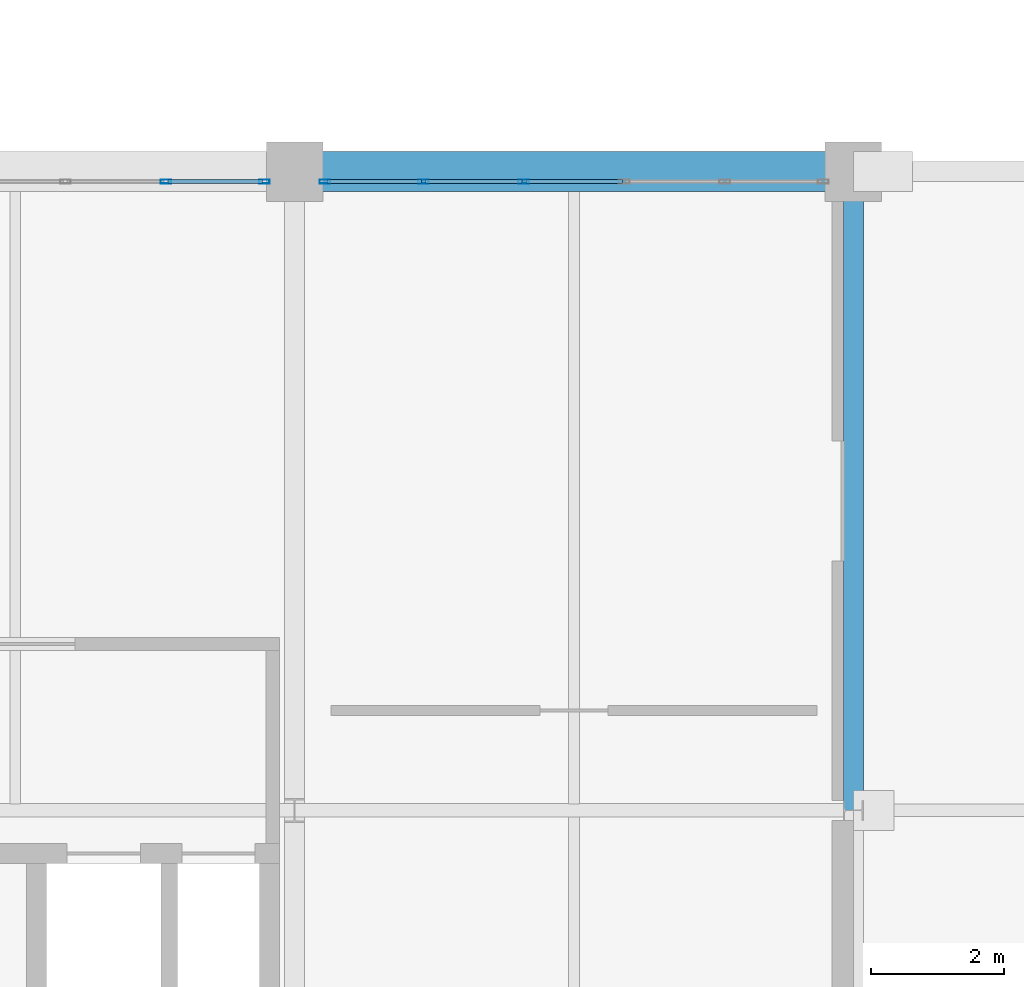
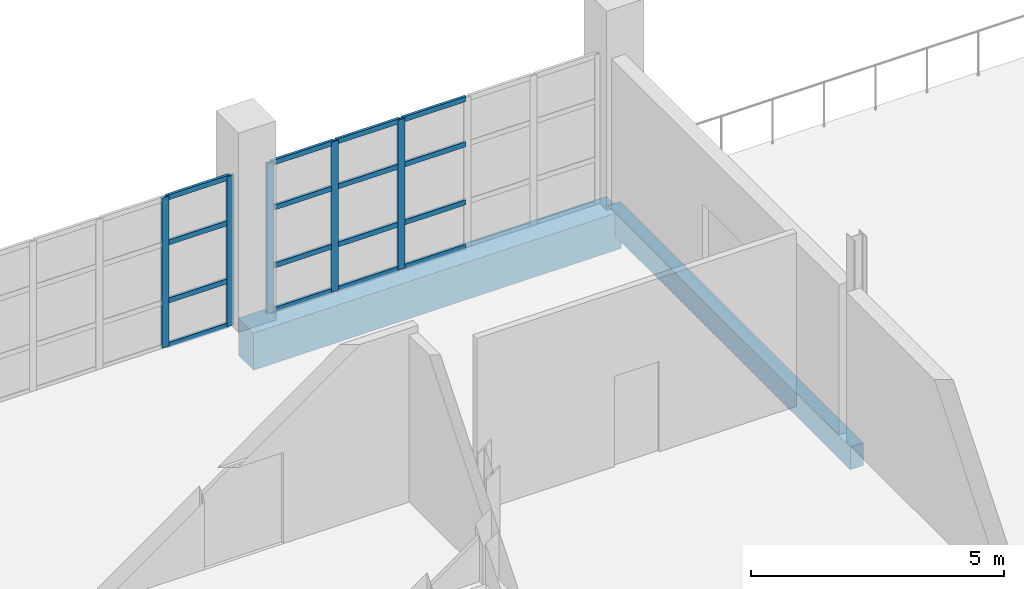
# One storey, part 18 of 29: 21 members, 2 beams, 2 elements without a shape of their own.
"""IFC4 building model written with IfcOpenShell, lengths in metres."""

from ifc_helpers import new_model, si_unit, direction, frame, origin, origin_2d, place, context, subcontext, project, spatial, rectangle, hollow_rectangle, extrude, material, material_profile, profile_set, type_object, element, aggregate, save


model = new_model("IFC4")

# Units and contexts
model_context = context("Model", 3, precision=1e-05, world=origin(), true_north=direction((0.0, 1.0)))
body_context = subcontext(model_context, "Body", "Model", "MODEL_VIEW")
ifc_project = project(units=[si_unit("LENGTHUNIT", "METRE"), si_unit("AREAUNIT", "SQUARE_METRE"), si_unit("VOLUMEUNIT", "CUBIC_METRE"), si_unit("PLANEANGLEUNIT", "RADIAN"), si_unit("MASSUNIT", "GRAM", prefix="KILO")], contexts=[model_context])

# Site, building, storey
site_placement = place(None, origin())
site = spatial("IfcSite", under=ifc_project, at=site_placement, CompositionType="ELEMENT")
building_placement = place(site_placement, origin())
building = spatial("IfcBuilding", under=site, at=building_placement, Name="Veltarok Museum of Natural Sciences", CompositionType="ELEMENT")
storey_placement = place(building_placement, frame((0.0, 0.0, 26.39990234375)))
storey = spatial("IfcBuildingStorey", under=building, at=storey_placement, Name="L05", CompositionType="ELEMENT", Elevation=26.39990234375)

# Curtain wall, members
ifc_material_1 = material(Name="Low-iron triple insulated glass", Category="glass")
curtain_wall_type = type_object("IfcCurtainWallType", Name="Curtain Wall System CW-V1N-L05-755x362 (V1 North Overlook L05 755x362cm)", PredefinedType="NOTDEFINED", material=ifc_material_1)
curtain_wall_1_placement = place(storey_placement, origin())
curtain_wall_1 = element("IfcCurtainWall", 1, at=curtain_wall_1_placement, inside=storey, type_object=curtain_wall_type, Name="Curtain Wall CW-V1N-L05-755x362 CW-0018", PredefinedType="NOTDEFINED")
ifc_material_2 = material(Name="Thermally broken anodised aluminium", Category="aluminium")
ifc_material_profile_1 = material_profile(ifc_material_2, hollow_rectangle(XDim=0.06005859375, YDim=0.1201171875, WallThickness=0.0048828125, at=origin_2d()), Name="CW TRANSOM 60x120x5")
ifc_profile_set_1 = profile_set([ifc_material_profile_1], Name="Thermally broken anodised aluminium")
member_type_1 = type_object("IfcMemberType", Name="Curtain Wall Horizontal Transom 60x120x5", PredefinedType="USERDEFINED", material=ifc_profile_set_1)
member_1_placement = place(storey_placement, frame((98.31494140625, 19.050048828125, 0.030029296875), z_axis=(-1.0, 0.0, 0.0), x_axis=(0.0, -1.0, 0.0)))
member_1 = element("IfcMember", 2, at=member_1_placement, type_object=member_type_1, Name="CW-V1N-L05-755x362 transom 1.1", ObjectType="TRANSOM", PredefinedType="USERDEFINED", context=body_context, shape_type="SweptSolid", body=[
    extrude(hollow_rectangle(XDim=0.06005859375, YDim=0.1201171875, WallThickness=0.0048828125, at=origin_2d()), origin(), (0.0, 0.0, 1.0), 1.419921875),
])
member_2_placement = place(storey_placement, frame((98.31494140625, 19.050048828125, 1.10009765625), z_axis=(-1.0, 0.0, 0.0), x_axis=(0.0, -1.0, 0.0)))
member_2 = element("IfcMember", 3, at=member_2_placement, type_object=member_type_1, Name="CW-V1N-L05-755x362 transom 1.2", ObjectType="TRANSOM", PredefinedType="USERDEFINED", context=body_context, shape_type="SweptSolid", body=[
    extrude(hollow_rectangle(XDim=0.06005859375, YDim=0.1201171875, WallThickness=0.0048828125, at=origin_2d()), origin(), (0.0, 0.0, 1.0), 1.419921875),
])
member_3_placement = place(storey_placement, frame((98.31494140625, 19.050048828125, 2.5), z_axis=(-1.0, 0.0, 0.0), x_axis=(0.0, -1.0, 0.0)))
member_3 = element("IfcMember", 4, at=member_3_placement, type_object=member_type_1, Name="CW-V1N-L05-755x362 transom 1.3", ObjectType="TRANSOM", PredefinedType="USERDEFINED", context=body_context, shape_type="SweptSolid", body=[
    extrude(hollow_rectangle(XDim=0.06005859375, YDim=0.1201171875, WallThickness=0.0048828125, at=origin_2d()), origin(), (0.0, 0.0, 1.0), 1.419921875),
])
member_4_placement = place(storey_placement, frame((98.31494140625, 19.050048828125, 3.590087890625), z_axis=(-1.0, 0.0, 0.0), x_axis=(0.0, -1.0, 0.0)))
member_4 = element("IfcMember", 5, at=member_4_placement, type_object=member_type_1, Name="CW-V1N-L05-755x362 transom 1.4", ObjectType="TRANSOM", PredefinedType="USERDEFINED", context=body_context, shape_type="SweptSolid", body=[
    extrude(hollow_rectangle(XDim=0.06005859375, YDim=0.1201171875, WallThickness=0.0048828125, at=origin_2d()), origin(), (0.0, 0.0, 1.0), 1.419921875),
])

curtain_wall_2_placement = place(storey_placement, origin())
curtain_wall_2 = element("IfcCurtainWall", 6, at=curtain_wall_2_placement, inside=storey, type_object=curtain_wall_type, Name="Curtain Wall CW-V1N-L05-755x362 CW-0019", PredefinedType="NOTDEFINED")
member_5_placement = place(storey_placement, frame((103.72509765625, 19.050048828125, 0.030029296875), z_axis=(-1.0, 0.0, 0.0), x_axis=(0.0, -1.0, 0.0)))
member_5 = element("IfcMember", 7, at=member_5_placement, type_object=member_type_1, Name="CW-V1N-L05-755x362 transom 3.1", ObjectType="TRANSOM", PredefinedType="USERDEFINED", context=body_context, shape_type="SweptSolid", body=[
    extrude(hollow_rectangle(XDim=0.06005859375, YDim=0.1201171875, WallThickness=0.0048828125, at=origin_2d()), origin(), (0.0, 0.0, 1.0), 1.4501953125),
])
member_6_placement = place(storey_placement, frame((103.72509765625, 19.050048828125, 1.10009765625), z_axis=(-1.0, 0.0, 0.0), x_axis=(0.0, -1.0, 0.0)))
member_6 = element("IfcMember", 8, at=member_6_placement, type_object=member_type_1, Name="CW-V1N-L05-755x362 transom 3.2", ObjectType="TRANSOM", PredefinedType="USERDEFINED", context=body_context, shape_type="SweptSolid", body=[
    extrude(hollow_rectangle(XDim=0.06005859375, YDim=0.1201171875, WallThickness=0.0048828125, at=origin_2d()), origin(), (0.0, 0.0, 1.0), 1.4501953125),
])
member_7_placement = place(storey_placement, frame((103.72509765625, 19.050048828125, 2.5), z_axis=(-1.0, 0.0, 0.0), x_axis=(0.0, -1.0, 0.0)))
member_7 = element("IfcMember", 9, at=member_7_placement, type_object=member_type_1, Name="CW-V1N-L05-755x362 transom 3.3", ObjectType="TRANSOM", PredefinedType="USERDEFINED", context=body_context, shape_type="SweptSolid", body=[
    extrude(hollow_rectangle(XDim=0.06005859375, YDim=0.1201171875, WallThickness=0.0048828125, at=origin_2d()), origin(), (0.0, 0.0, 1.0), 1.4501953125),
])
member_8_placement = place(storey_placement, frame((103.72509765625, 19.050048828125, 3.590087890625), z_axis=(-1.0, 0.0, 0.0), x_axis=(0.0, -1.0, 0.0)))
member_8 = element("IfcMember", 10, at=member_8_placement, type_object=member_type_1, Name="CW-V1N-L05-755x362 transom 3.4", ObjectType="TRANSOM", PredefinedType="USERDEFINED", context=body_context, shape_type="SweptSolid", body=[
    extrude(hollow_rectangle(XDim=0.06005859375, YDim=0.1201171875, WallThickness=0.0048828125, at=origin_2d()), origin(), (0.0, 0.0, 1.0), 1.4501953125),
])
member_9_placement = place(storey_placement, frame((102.215087890625, 19.050048828125, 0.030029296875), z_axis=(-1.0, 0.0, 0.0), x_axis=(0.0, -1.0, 0.0)))
member_9 = element("IfcMember", 11, at=member_9_placement, type_object=member_type_1, Name="CW-V1N-L05-755x362 transom 4.1", ObjectType="TRANSOM", PredefinedType="USERDEFINED", context=body_context, shape_type="SweptSolid", body=[
    extrude(hollow_rectangle(XDim=0.06005859375, YDim=0.1201171875, WallThickness=0.0048828125, at=origin_2d()), origin(), (0.0, 0.0, 1.0), 1.4501953125),
])
member_10_placement = place(storey_placement, frame((102.215087890625, 19.050048828125, 1.10009765625), z_axis=(-1.0, 0.0, 0.0), x_axis=(0.0, -1.0, 0.0)))
member_10 = element("IfcMember", 12, at=member_10_placement, type_object=member_type_1, Name="CW-V1N-L05-755x362 transom 4.2", ObjectType="TRANSOM", PredefinedType="USERDEFINED", context=body_context, shape_type="SweptSolid", body=[
    extrude(hollow_rectangle(XDim=0.06005859375, YDim=0.1201171875, WallThickness=0.0048828125, at=origin_2d()), origin(), (0.0, 0.0, 1.0), 1.4501953125),
])
member_11_placement = place(storey_placement, frame((102.215087890625, 19.050048828125, 2.5), z_axis=(-1.0, 0.0, 0.0), x_axis=(0.0, -1.0, 0.0)))
member_11 = element("IfcMember", 13, at=member_11_placement, type_object=member_type_1, Name="CW-V1N-L05-755x362 transom 4.3", ObjectType="TRANSOM", PredefinedType="USERDEFINED", context=body_context, shape_type="SweptSolid", body=[
    extrude(hollow_rectangle(XDim=0.06005859375, YDim=0.1201171875, WallThickness=0.0048828125, at=origin_2d()), origin(), (0.0, 0.0, 1.0), 1.4501953125),
])
member_12_placement = place(storey_placement, frame((102.215087890625, 19.050048828125, 3.590087890625), z_axis=(-1.0, 0.0, 0.0), x_axis=(0.0, -1.0, 0.0)))
member_12 = element("IfcMember", 14, at=member_12_placement, type_object=member_type_1, Name="CW-V1N-L05-755x362 transom 4.4", ObjectType="TRANSOM", PredefinedType="USERDEFINED", context=body_context, shape_type="SweptSolid", body=[
    extrude(hollow_rectangle(XDim=0.06005859375, YDim=0.1201171875, WallThickness=0.0048828125, at=origin_2d()), origin(), (0.0, 0.0, 1.0), 1.4501953125),
])
member_13_placement = place(storey_placement, frame((100.705078125, 19.050048828125, 0.030029296875), z_axis=(-1.0, 0.0, 0.0), x_axis=(0.0, -1.0, 0.0)))
member_13 = element("IfcMember", 15, at=member_13_placement, type_object=member_type_1, Name="CW-V1N-L05-755x362 transom 5.1", ObjectType="TRANSOM", PredefinedType="USERDEFINED", context=body_context, shape_type="SweptSolid", body=[
    extrude(hollow_rectangle(XDim=0.06005859375, YDim=0.1201171875, WallThickness=0.0048828125, at=origin_2d()), origin(), (0.0, 0.0, 1.0), 1.420166015625),
])
member_14_placement = place(storey_placement, frame((100.705078125, 19.050048828125, 1.10009765625), z_axis=(-1.0, 0.0, 0.0), x_axis=(0.0, -1.0, 0.0)))
member_14 = element("IfcMember", 16, at=member_14_placement, type_object=member_type_1, Name="CW-V1N-L05-755x362 transom 5.2", ObjectType="TRANSOM", PredefinedType="USERDEFINED", context=body_context, shape_type="SweptSolid", body=[
    extrude(hollow_rectangle(XDim=0.06005859375, YDim=0.1201171875, WallThickness=0.0048828125, at=origin_2d()), origin(), (0.0, 0.0, 1.0), 1.420166015625),
])
member_15_placement = place(storey_placement, frame((100.705078125, 19.050048828125, 2.5), z_axis=(-1.0, 0.0, 0.0), x_axis=(0.0, -1.0, 0.0)))
member_15 = element("IfcMember", 17, at=member_15_placement, type_object=member_type_1, Name="CW-V1N-L05-755x362 transom 5.3", ObjectType="TRANSOM", PredefinedType="USERDEFINED", context=body_context, shape_type="SweptSolid", body=[
    extrude(hollow_rectangle(XDim=0.06005859375, YDim=0.1201171875, WallThickness=0.0048828125, at=origin_2d()), origin(), (0.0, 0.0, 1.0), 1.420166015625),
])
member_16_placement = place(storey_placement, frame((100.705078125, 19.050048828125, 3.590087890625), z_axis=(-1.0, 0.0, 0.0), x_axis=(0.0, -1.0, 0.0)))
member_16 = element("IfcMember", 18, at=member_16_placement, type_object=member_type_1, Name="CW-V1N-L05-755x362 transom 5.4", ObjectType="TRANSOM", PredefinedType="USERDEFINED", context=body_context, shape_type="SweptSolid", body=[
    extrude(hollow_rectangle(XDim=0.06005859375, YDim=0.1201171875, WallThickness=0.0048828125, at=origin_2d()), origin(), (0.0, 0.0, 1.0), 1.420166015625),
])

# Member
ifc_material_profile_2 = material_profile(ifc_material_2, hollow_rectangle(XDim=0.06005859375, YDim=0.159912109375, WallThickness=0.0048828125, at=origin_2d()), Name="CW MULLION 60x160x5")
ifc_profile_set_2 = profile_set([ifc_material_profile_2], Name="Thermally broken anodised aluminium")
member_type_2 = type_object("IfcMemberType", Name="Curtain Wall Vertical Mullion 60x160x5", PredefinedType="MULLION", material=ifc_profile_set_2)
member_17_placement = place(storey_placement, frame((98.344970703125, 19.050048828125, 0.0), z_axis=(0.0, 0.0, 1.0), x_axis=(0.0, -1.0, 0.0)))
member_17 = element("IfcMember", 19, at=member_17_placement, type_object=member_type_2, Name="CW-V1N-L05-755x362 mullion 1", PredefinedType="MULLION", context=body_context, shape_type="SweptSolid", body=[
    extrude(hollow_rectangle(XDim=0.06005859375, YDim=0.159912109375, WallThickness=0.0048828125, at=origin_2d()), origin(), (0.0, 0.0, 1.0), 3.6201171875),
])

member_18_placement = place(storey_placement, frame((96.864990234375, 19.050048828125, 0.0), z_axis=(0.0, 0.0, 1.0), x_axis=(0.0, -1.0, 0.0)))
member_18 = element("IfcMember", 20, at=member_18_placement, type_object=member_type_2, Name="CW-V1N-L05-755x362 mullion 2", PredefinedType="MULLION", context=body_context, shape_type="SweptSolid", body=[
    extrude(hollow_rectangle(XDim=0.06005859375, YDim=0.159912109375, WallThickness=0.0048828125, at=origin_2d()), origin(), (0.0, 0.0, 1.0), 3.6201171875),
])

aggregate(curtain_wall_1, [member_17, member_18, member_1, member_2, member_3, member_4])

member_19_placement = place(storey_placement, frame((102.2451171875, 19.050048828125, 0.0), z_axis=(0.0, 0.0, 1.0), x_axis=(0.0, -1.0, 0.0)))
member_19 = element("IfcMember", 21, at=member_19_placement, type_object=member_type_2, Name="CW-V1N-L05-755x362 mullion 4", PredefinedType="MULLION", context=body_context, shape_type="SweptSolid", body=[
    extrude(hollow_rectangle(XDim=0.06005859375, YDim=0.159912109375, WallThickness=0.0048828125, at=origin_2d()), origin(), (0.0, 0.0, 1.0), 3.6201171875),
])

member_20_placement = place(storey_placement, frame((100.735107421875, 19.050048828125, 0.0), z_axis=(0.0, 0.0, 1.0), x_axis=(0.0, -1.0, 0.0)))
member_20 = element("IfcMember", 22, at=member_20_placement, type_object=member_type_2, Name="CW-V1N-L05-755x362 mullion 5", PredefinedType="MULLION", context=body_context, shape_type="SweptSolid", body=[
    extrude(hollow_rectangle(XDim=0.06005859375, YDim=0.159912109375, WallThickness=0.0048828125, at=origin_2d()), origin(), (0.0, 0.0, 1.0), 3.6201171875),
])

member_21_placement = place(storey_placement, frame((99.2548828125, 19.050048828125, 0.0), z_axis=(0.0, 0.0, 1.0), x_axis=(0.0, -1.0, 0.0)))
member_21 = element("IfcMember", 23, at=member_21_placement, type_object=member_type_2, Name="CW-V1N-L05-755x362 mullion 6", PredefinedType="MULLION", context=body_context, shape_type="SweptSolid", body=[
    extrude(hollow_rectangle(XDim=0.06005859375, YDim=0.159912109375, WallThickness=0.0048828125, at=origin_2d()), origin(), (0.0, 0.0, 1.0), 3.6201171875),
])

aggregate(curtain_wall_2, [member_19, member_20, member_21, member_5, member_6, member_7, member_8, member_9, member_10, member_11, member_12, member_13, member_14, member_15, member_16])

# Beams
ifc_material_3 = material(Name="Precast concrete C40/50", Category="concrete")
ifc_material_profile_3 = material_profile(ifc_material_3, rectangle(XDim=0.300048828125, YDim=0.550048828125, at=origin_2d()), Name="RC 300x550")
ifc_profile_set_3 = profile_set([ifc_material_profile_3], Name="Precast concrete C40/50")
beam_type_1 = type_object("IfcBeamType", Name="East Wing Precast Spandrel RC 300x550", PredefinedType="SPANDREL", material=ifc_profile_set_3)
beam_1_placement = place(storey_placement, frame((107.199951171875, 9.60009765625, -0.534912109375), z_axis=(0.0, 1.0, 0.0), x_axis=(-1.0, 0.0, 0.0)))
element("IfcBeam", 24, at=beam_1_placement, inside=storey, type_object=beam_type_1, Name="Beam BM-SP02 L05 13/B-C", PredefinedType="SPANDREL", context=body_context, shape_type="SweptSolid", body=[
    extrude(rectangle(XDim=0.300048828125, YDim=0.550048828125, at=origin_2d()), origin(), (0.0, 0.0, 1.0), 9.599853515625),
])
ifc_material_4 = material(Name="Concrete C40/50", Category="concrete")
ifc_material_profile_4 = material_profile(ifc_material_4, rectangle(XDim=0.60009765625, YDim=0.89990234375, at=origin_2d()), Name="RC 600x900")
ifc_profile_set_4 = profile_set([ifc_material_profile_4], Name="Concrete C40/50")
beam_type_2 = type_object("IfcBeamType", Name="Exposed Cabinet Perimeter Spandrel RC 600x900", PredefinedType="SPANDREL", material=ifc_profile_set_4)
beam_2_placement = place(storey_placement, frame((98.800048828125, 19.199951171875, -0.7099609375), z_axis=(1.0, 0.0, 0.0), x_axis=(0.0, 1.0, 0.0)))
element("IfcBeam", 25, at=beam_2_placement, inside=storey, type_object=beam_type_2, Name="Beam BM-SP01 L05 12-13/C", PredefinedType="SPANDREL", context=body_context, shape_type="SweptSolid", body=[
    extrude(rectangle(XDim=0.60009765625, YDim=0.89990234375, at=origin_2d()), origin(), (0.0, 0.0, 1.0), 8.39990234375),
])

save(model, "model.ifc")
